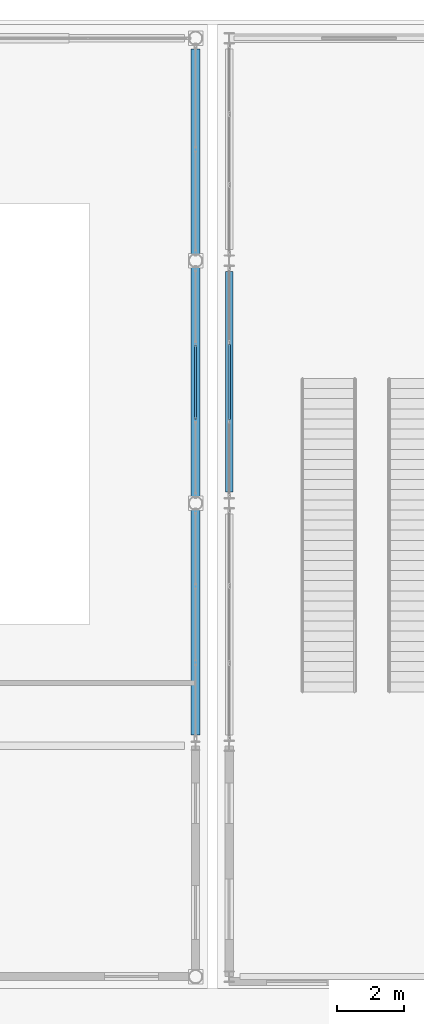
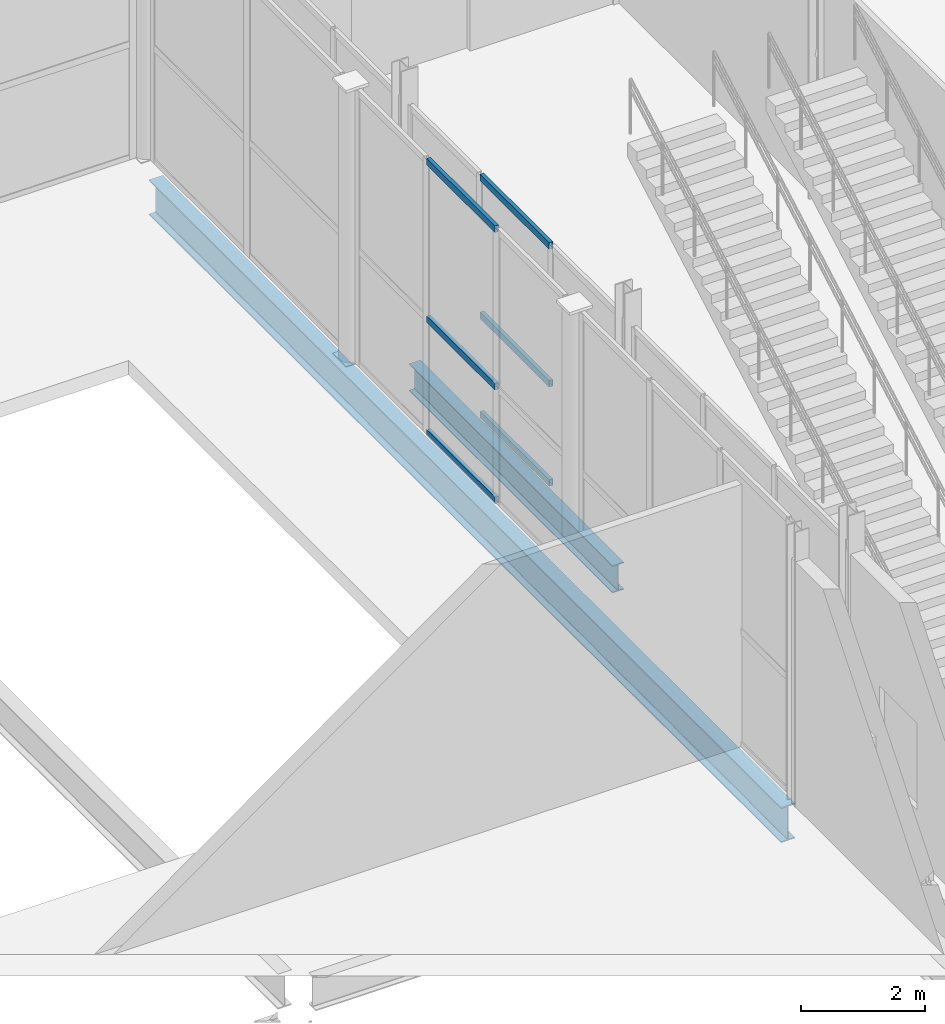
# One storey, part 50 of 83: 6 members, 2 beams, 2 elements without a shape of their own.
"""IFC4 building model written with IfcOpenShell, lengths in metres."""

from ifc_helpers import new_model, si_unit, direction, frame, origin, origin_2d, place, context, subcontext, project, spatial, hollow_rectangle, i_section, extrude, material, layer, layer_set, material_profile, profile_set, type_object, element, aggregate, save


model = new_model("IFC4")

# Units and contexts
model_context = context("Model", 3, precision=1e-05, world=origin(), true_north=direction((0.0, 1.0)))
body_context = subcontext(model_context, "Body", "Model", "MODEL_VIEW")
ifc_project = project(units=[si_unit("LENGTHUNIT", "METRE"), si_unit("AREAUNIT", "SQUARE_METRE"), si_unit("VOLUMEUNIT", "CUBIC_METRE"), si_unit("PLANEANGLEUNIT", "RADIAN"), si_unit("MASSUNIT", "GRAM", prefix="KILO")], contexts=[model_context])

# Site, building, storey
site_placement = place(None, origin())
site = spatial("IfcSite", under=ifc_project, at=site_placement, CompositionType="ELEMENT")
building_placement = place(site_placement, origin())
building = spatial("IfcBuilding", under=site, at=building_placement, Name="Quillay Park Conservatory", CompositionType="ELEMENT")
storey_placement = place(building_placement, origin())
storey = spatial("IfcBuildingStorey", under=building, at=storey_placement, Name="L00", CompositionType="ELEMENT", Elevation=0.0)

# Curtain wall, members
ifc_material_1 = material(Name="Thermally Broken Anodised Aluminium 6063-T6", Category="aluminium")
ifc_layer_1 = layer(ifc_material_1, 0.219970703125)
ifc_layer_set_1 = layer_set([ifc_layer_1], Name="UNITISED CURTAIN WALL CONSERVATORY (Thermally Broken Anodised Aluminium 6063-T6)")
curtain_wall_type_1 = type_object("IfcCurtainWallType", Name="UNITISED CURTAIN WALL CONSERVATORY", PredefinedType="USERDEFINED", material=ifc_layer_set_1)
curtain_wall_1_placement = place(storey_placement, origin())
curtain_wall_1 = element("IfcCurtainWall", 1, at=curtain_wall_1_placement, inside=storey, type_object=curtain_wall_type_1, Name="L00 Unitised Curtain Wall 169", ObjectType="UNITISED CURTAIN WALL", PredefinedType="USERDEFINED")
ifc_material_2 = material(Name="Thermally Broken Anodised Aluminium 6063-T6", Category="aluminium")
ifc_material_profile_1 = material_profile(ifc_material_2, hollow_rectangle(XDim=0.070068359375, YDim=0.1298828125, WallThickness=0.003173828125, at=origin_2d()), Name="AL70x130x3.2")
ifc_profile_set_1 = profile_set([ifc_material_profile_1], Name="Thermally Broken Anodised Aluminium 6063-T6")
member_type = type_object("IfcMemberType", Name="CURTAIN WALL TRANSOM 70 X130", PredefinedType="USERDEFINED", material=ifc_profile_set_1)
member_1_placement = place(storey_placement, frame((114.85009765625, 104.297607421875, 0.034912109375), z_axis=(0.0, -1.0, 0.0), x_axis=(1.0, 0.0, 0.0)))
member_1 = element("IfcMember", 2, at=member_1_placement, type_object=member_type, Name="CW-C1 transom 2.1", ObjectType="TRANSOM", PredefinedType="USERDEFINED", context=body_context, shape_type="SweptSolid", body=[
    extrude(hollow_rectangle(XDim=0.070068359375, YDim=0.1298828125, WallThickness=0.003173828125, at=origin_2d()), origin(), (0.0, 0.0, 1.0), 2.1953125),
])
member_2_placement = place(storey_placement, frame((114.85009765625, 104.297607421875, 2.26806640625), z_axis=(0.0, -1.0, 0.0), x_axis=(1.0, 0.0, 0.0)))
member_2 = element("IfcMember", 3, at=member_2_placement, type_object=member_type, Name="CW-C1 transom 2.2", ObjectType="TRANSOM", PredefinedType="USERDEFINED", context=body_context, shape_type="SweptSolid", body=[
    extrude(hollow_rectangle(XDim=0.070068359375, YDim=0.1298828125, WallThickness=0.003173828125, at=origin_2d()), origin(), (0.0, 0.0, 1.0), 2.1953125),
])
member_3_placement = place(storey_placement, frame((114.85009765625, 104.297607421875, 5.364990234375), z_axis=(0.0, -1.0, 0.0), x_axis=(1.0, 0.0, 0.0)))
member_3 = element("IfcMember", 4, at=member_3_placement, type_object=member_type, Name="CW-C1 transom 2.3", ObjectType="TRANSOM", PredefinedType="USERDEFINED", context=body_context, shape_type="SweptSolid", body=[
    extrude(hollow_rectangle(XDim=0.070068359375, YDim=0.1298828125, WallThickness=0.003173828125, at=origin_2d()), origin(), (0.0, 0.0, 1.0), 2.1953125),
])
aggregate(curtain_wall_1, [member_1, member_2, member_3])

ifc_material_3 = material(Name="Thermally Broken Anodised Aluminium 6063-T6", Category="aluminium")
ifc_layer_2 = layer(ifc_material_3, 0.1650390625)
ifc_layer_set_2 = layer_set([ifc_layer_2], Name="UNITISED CURTAIN WALL PODIUM (Thermally Broken Anodised Aluminium 6063-T6)")
curtain_wall_type_2 = type_object("IfcCurtainWallType", Name="UNITISED CURTAIN WALL PODIUM", PredefinedType="USERDEFINED", material=ifc_layer_set_2)
curtain_wall_2_placement = place(storey_placement, origin())
curtain_wall_2 = element("IfcCurtainWall", 5, at=curtain_wall_2_placement, inside=storey, type_object=curtain_wall_type_2, Name="L00 Unitised Curtain Wall 225", ObjectType="UNITISED CURTAIN WALL", PredefinedType="USERDEFINED")
member_4_placement = place(storey_placement, frame((115.85009765625, 102.08837890625, 0.034912109375), z_axis=(0.0, 1.0, 0.0), x_axis=(-1.0, 0.0, 0.0)))
member_4 = element("IfcMember", 6, at=member_4_placement, type_object=member_type, Name="CW-P1 transom 2.1", ObjectType="TRANSOM", PredefinedType="USERDEFINED", context=body_context, shape_type="SweptSolid", body=[
    extrude(hollow_rectangle(XDim=0.070068359375, YDim=0.1298828125, WallThickness=0.003173828125, at=origin_2d()), origin(), (0.0, 0.0, 1.0), 2.223388671875),
])
member_5_placement = place(storey_placement, frame((115.85009765625, 102.08837890625, 1.986083984375), z_axis=(0.0, 1.0, 0.0), x_axis=(-1.0, 0.0, 0.0)))
member_5 = element("IfcMember", 7, at=member_5_placement, type_object=member_type, Name="CW-P1 transom 2.2", ObjectType="TRANSOM", PredefinedType="USERDEFINED", context=body_context, shape_type="SweptSolid", body=[
    extrude(hollow_rectangle(XDim=0.070068359375, YDim=0.1298828125, WallThickness=0.003173828125, at=origin_2d()), origin(), (0.0, 0.0, 1.0), 2.223388671875),
])
member_6_placement = place(storey_placement, frame((115.85009765625, 102.08837890625, 4.694091796875), z_axis=(0.0, 1.0, 0.0), x_axis=(-1.0, 0.0, 0.0)))
member_6 = element("IfcMember", 8, at=member_6_placement, type_object=member_type, Name="CW-P1 transom 2.3", ObjectType="TRANSOM", PredefinedType="USERDEFINED", context=body_context, shape_type="SweptSolid", body=[
    extrude(hollow_rectangle(XDim=0.070068359375, YDim=0.1298828125, WallThickness=0.003173828125, at=origin_2d()), origin(), (0.0, 0.0, 1.0), 2.223388671875),
])
aggregate(curtain_wall_2, [member_4, member_5, member_6])

# Beams
ifc_material_4 = material(Name="Steel ASTM A992 Grade 50", Category="steel")
ifc_material_profile_2 = material_profile(ifc_material_4, i_section(OverallWidth=0.2109375, OverallDepth=0.5390625, WebThickness=0.01171875, FlangeThickness=0.018798828125, FilletRadius=0.013916015625, at=origin_2d()), Name="W530x109")
ifc_profile_set_2 = profile_set([ifc_material_profile_2], Name="Steel ASTM A992 Grade 50")
beam_type_1 = type_object("IfcBeamType", Name="PRIMARY FLOOR GIRDER W530 X109", PredefinedType="BEAM", material=ifc_profile_set_2)
beam_1_placement = place(storey_placement, frame((115.85009765625, 99.925048828125, -0.51953125), z_axis=(0.0, 1.0, 0.0), x_axis=(-1.0, 0.0, 0.0)))
element("IfcBeam", 9, at=beam_1_placement, inside=storey, type_object=beam_type_1, Name="L00 beam BM-V2Y-1682", PredefinedType="BEAM", context=body_context, shape_type="SweptSolid", body=[
    extrude(i_section(OverallWidth=0.2109375, OverallDepth=0.5390625, WebThickness=0.01171875, FlangeThickness=0.018798828125, FilletRadius=0.013916015625, at=origin_2d()), origin(), (0.0, 0.0, 1.0), 6.550048828125),
])
ifc_material_5 = material(Name="Steel ASTM A992 Grade 50", Category="steel")
ifc_material_profile_3 = material_profile(ifc_material_5, i_section(OverallWidth=0.256103515625, OverallDepth=0.693115234375, WebThickness=0.014404296875, FlangeThickness=0.023681640625, FilletRadius=0.01611328125, at=origin_2d()), Name="W690x170")
ifc_profile_set_3 = profile_set([ifc_material_profile_3], Name="Steel ASTM A992 Grade 50")
beam_type_2 = type_object("IfcBeamType", Name="PRIMARY FLOOR GIRDER W690 X170", PredefinedType="BEAM", material=ifc_profile_set_3)
beam_2_placement = place(storey_placement, frame((114.85009765625, 92.72509765625, -0.62646484375), z_axis=(0.0, 1.0, 0.0), x_axis=(-1.0, 0.0, 0.0)))
element("IfcBeam", 10, at=beam_2_placement, inside=storey, type_object=beam_type_2, Name="L00 beam BM-V1T0-1648", PredefinedType="BEAM", context=body_context, shape_type="SweptSolid", body=[
    extrude(i_section(OverallWidth=0.256103515625, OverallDepth=0.693115234375, WebThickness=0.014404296875, FlangeThickness=0.023681640625, FilletRadius=0.01611328125, at=origin_2d()), origin(), (0.0, 0.0, 1.0), 20.349853515625),
])

save(model, "model.ifc")
